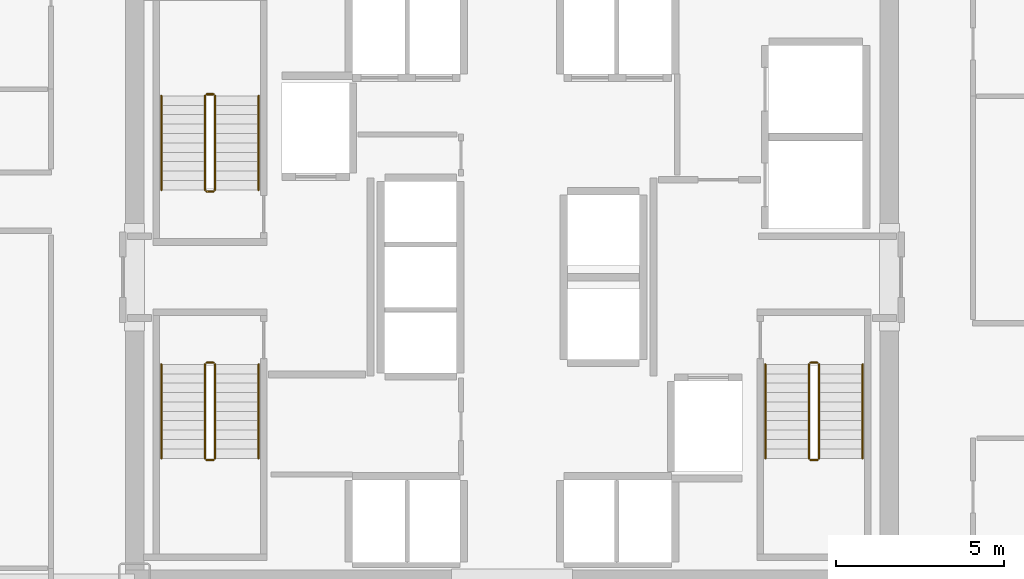
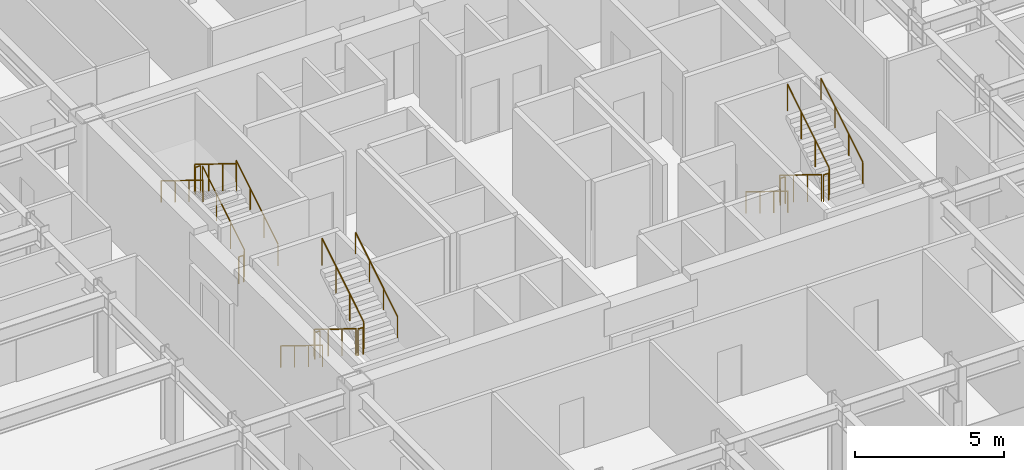
# One storey, part 26 of 26: 18 railings.
"""IFC4 building model written with IfcOpenShell, lengths in metres."""

from ifc_helpers import new_model, si_unit, direction, frame, origin, origin_2d, place, context, subcontext, project, spatial, circle, extrude, material, type_object, element, save


model = new_model("IFC4")

# Units and contexts
model_context = context("Model", 3, precision=1e-05, world=origin(), true_north=direction((0.0, 1.0)))
body_context = subcontext(model_context, "Body", "Model", "MODEL_VIEW")
ifc_project = project(units=[si_unit("LENGTHUNIT", "METRE"), si_unit("AREAUNIT", "SQUARE_METRE"), si_unit("VOLUMEUNIT", "CUBIC_METRE"), si_unit("PLANEANGLEUNIT", "RADIAN"), si_unit("MASSUNIT", "GRAM", prefix="KILO")], contexts=[model_context])

# Site, building, storey
site_placement = place(None, origin())
site = spatial("IfcSite", under=ifc_project, at=site_placement, CompositionType="ELEMENT")
building_placement = place(site_placement, origin())
building = spatial("IfcBuilding", under=site, at=building_placement, Name="Nefas-Gora Pilgrimage Tower", CompositionType="ELEMENT")
storey_placement = place(building_placement, frame((0.0, 0.0, 132.60009765625)))
storey = spatial("IfcBuildingStorey", under=building, at=storey_placement, Name="L32", CompositionType="ELEMENT", Elevation=132.60009765625)

# Railings
ifc_material_1 = material(Name="Painted galvanised steel", Category="steel")
railing_type_1 = type_object("IfcRailingType", Name="RLG-STR-GUARD-1100", PredefinedType="GUARDRAIL", material=ifc_material_1)
railing_1_placement = place(storey_placement, frame((-8.85009765625, 2.60009765625, 0.172607421875)))
element("IfcRailing", 1, at=railing_1_placement, inside=storey, type_object=railing_type_1, Name="L32 ST-01 stair guard 1", PredefinedType="GUARDRAIL", context=body_context, shape_type="SweptSolid", body=[
    extrude(circle(Radius=0.02392578125, at=origin_2d()), frame((0.0, 0.0, 1.09619140625), z_axis=(0.0, 0.851069175582, 0.525053576669), x_axis=(-1.0, 0.0, 0.0)), (0.0, 0.0, 1.0), 3.289794921875),
    extrude(circle(Radius=0.02099609375, at=origin_2d()), origin(), (0.0, 0.0, 1.0), 1.072021484375),
    extrude(circle(Radius=0.02099609375, at=origin_2d()), frame((0.0, 0.933349609375, 0.57568359375)), (0.0, 0.0, 1.0), 1.072021484375),
    extrude(circle(Radius=0.02099609375, at=origin_2d()), frame((0.0, 1.866455078125, 1.151611328125)), (0.0, 0.0, 1.0), 1.072021484375),
    extrude(circle(Radius=0.02099609375, at=origin_2d()), frame((0.0, 2.7998046875, 1.727294921875)), (0.0, 0.0, 1.0), 1.072021484375),
])
railing_2_placement = place(storey_placement, frame((-8.89990234375, 5.449951171875, 1.89990234375)))
element("IfcRailing", 2, at=railing_2_placement, inside=storey, type_object=railing_type_1, Name="L32 ST-01 stair guard 2", PredefinedType="GUARDRAIL", context=body_context, shape_type="SweptSolid", body=[
    extrude(circle(Radius=0.02392578125, at=origin_2d()), frame((0.0, 0.0, 1.09619140625), z_axis=(-1.0, 0.0, 0.0), x_axis=(0.0, -1.0, 0.0)), (0.0, 0.0, 1.0), 0.2001953125),
    extrude(circle(Radius=0.02099609375, at=origin_2d()), origin(), (0.0, 0.0, 1.0), 1.072021484375),
    extrude(circle(Radius=0.02099609375, at=origin_2d()), frame((-0.2001953125, 0.0, 0.0)), (0.0, 0.0, 1.0), 1.072021484375),
])
railing_3_placement = place(storey_placement, frame((-9.14990234375, 5.39990234375, 2.072509765625)))
element("IfcRailing", 3, at=railing_3_placement, inside=storey, type_object=railing_type_1, Name="L32 ST-01 stair guard 3", PredefinedType="GUARDRAIL", context=body_context, shape_type="SweptSolid", body=[
    extrude(circle(Radius=0.02392578125, at=origin_2d()), frame((0.0, 0.0, 1.09619140625), z_axis=(0.0, -0.851069175582, 0.525053576669), x_axis=(1.0, 0.0, 0.0)), (0.0, 0.0, 1.0), 3.289794921875),
    extrude(circle(Radius=0.02099609375, at=origin_2d()), origin(), (0.0, 0.0, 1.0), 1.072021484375),
    extrude(circle(Radius=0.02099609375, at=origin_2d()), frame((0.0, -0.933349609375, 0.57568359375)), (0.0, 0.0, 1.0), 1.072021484375),
    extrude(circle(Radius=0.02099609375, at=origin_2d()), frame((0.0, -1.866455078125, 1.151611328125)), (0.0, 0.0, 1.0), 1.072021484375),
    extrude(circle(Radius=0.02099609375, at=origin_2d()), frame((0.0, -2.7998046875, 1.727294921875)), (0.0, 0.0, 1.0), 1.072021484375),
])
railing_4_placement = place(storey_placement, frame((-8.89990234375, 2.550048828125, 0.0)))
element("IfcRailing", 4, at=railing_4_placement, inside=storey, type_object=railing_type_1, Name="L32 ST-01 stair guard 4", PredefinedType="GUARDRAIL", context=body_context, shape_type="SweptSolid", body=[
    extrude(circle(Radius=0.02392578125, at=origin_2d()), frame((0.0, 0.0, 1.09619140625), z_axis=(-1.0, 0.0, 0.0), x_axis=(0.0, -1.0, 0.0)), (0.0, 0.0, 1.0), 0.2001953125),
    extrude(circle(Radius=0.02099609375, at=origin_2d()), origin(), (0.0, 0.0, 1.0), 1.072021484375),
    extrude(circle(Radius=0.02099609375, at=origin_2d()), frame((-0.2001953125, 0.0, 0.0)), (0.0, 0.0, 1.0), 1.072021484375),
])
railing_5_placement = place(storey_placement, frame((8.85009765625, -2.60009765625, 0.172607421875)))
element("IfcRailing", 5, at=railing_5_placement, inside=storey, type_object=railing_type_1, Name="L32 ST-02 stair guard 1", PredefinedType="GUARDRAIL", context=body_context, shape_type="SweptSolid", body=[
    extrude(circle(Radius=0.02392578125, at=origin_2d()), frame((0.0, 0.0, 1.09619140625), z_axis=(0.0, -0.851069175582, 0.525053576669), x_axis=(1.0, 0.0, 0.0)), (0.0, 0.0, 1.0), 3.289794921875),
    extrude(circle(Radius=0.02099609375, at=origin_2d()), origin(), (0.0, 0.0, 1.0), 1.072021484375),
    extrude(circle(Radius=0.02099609375, at=origin_2d()), frame((0.0, -0.933349609375, 0.57568359375)), (0.0, 0.0, 1.0), 1.072021484375),
    extrude(circle(Radius=0.02099609375, at=origin_2d()), frame((0.0, -1.866455078125, 1.151611328125)), (0.0, 0.0, 1.0), 1.072021484375),
    extrude(circle(Radius=0.02099609375, at=origin_2d()), frame((0.0, -2.7998046875, 1.727294921875)), (0.0, 0.0, 1.0), 1.072021484375),
])
railing_6_placement = place(storey_placement, frame((8.89990234375, -5.449951171875, 1.89990234375)))
element("IfcRailing", 6, at=railing_6_placement, inside=storey, type_object=railing_type_1, Name="L32 ST-02 stair guard 2", PredefinedType="GUARDRAIL", context=body_context, shape_type="SweptSolid", body=[
    extrude(circle(Radius=0.02392578125, at=origin_2d()), frame((0.0, 0.0, 1.09619140625), z_axis=(1.0, 0.0, 0.0), x_axis=(0.0, 1.0, 0.0)), (0.0, 0.0, 1.0), 0.2001953125),
    extrude(circle(Radius=0.02099609375, at=origin_2d()), origin(), (0.0, 0.0, 1.0), 1.072021484375),
    extrude(circle(Radius=0.02099609375, at=origin_2d()), frame((0.2001953125, 0.0, 0.0)), (0.0, 0.0, 1.0), 1.072021484375),
])
railing_7_placement = place(storey_placement, frame((9.14990234375, -5.39990234375, 2.072509765625)))
element("IfcRailing", 7, at=railing_7_placement, inside=storey, type_object=railing_type_1, Name="L32 ST-02 stair guard 3", PredefinedType="GUARDRAIL", context=body_context, shape_type="SweptSolid", body=[
    extrude(circle(Radius=0.02392578125, at=origin_2d()), frame((0.0, 0.0, 1.09619140625), z_axis=(0.0, 0.851069175582, 0.525053576669), x_axis=(-1.0, 0.0, 0.0)), (0.0, 0.0, 1.0), 3.289794921875),
    extrude(circle(Radius=0.02099609375, at=origin_2d()), origin(), (0.0, 0.0, 1.0), 1.072021484375),
    extrude(circle(Radius=0.02099609375, at=origin_2d()), frame((0.0, 0.933349609375, 0.57568359375)), (0.0, 0.0, 1.0), 1.072021484375),
    extrude(circle(Radius=0.02099609375, at=origin_2d()), frame((0.0, 1.866455078125, 1.151611328125)), (0.0, 0.0, 1.0), 1.072021484375),
    extrude(circle(Radius=0.02099609375, at=origin_2d()), frame((0.0, 2.7998046875, 1.727294921875)), (0.0, 0.0, 1.0), 1.072021484375),
])
railing_8_placement = place(storey_placement, frame((8.89990234375, -2.550048828125, 0.0)))
element("IfcRailing", 8, at=railing_8_placement, inside=storey, type_object=railing_type_1, Name="L32 ST-02 stair guard 4", PredefinedType="GUARDRAIL", context=body_context, shape_type="SweptSolid", body=[
    extrude(circle(Radius=0.02392578125, at=origin_2d()), frame((0.0, 0.0, 1.09619140625), z_axis=(1.0, 0.0, 0.0), x_axis=(0.0, 1.0, 0.0)), (0.0, 0.0, 1.0), 0.2001953125),
    extrude(circle(Radius=0.02099609375, at=origin_2d()), origin(), (0.0, 0.0, 1.0), 1.072021484375),
    extrude(circle(Radius=0.02099609375, at=origin_2d()), frame((0.2001953125, 0.0, 0.0)), (0.0, 0.0, 1.0), 1.072021484375),
])
railing_9_placement = place(storey_placement, frame((-9.14990234375, -2.60009765625, 0.172607421875)))
element("IfcRailing", 9, at=railing_9_placement, inside=storey, type_object=railing_type_1, Name="L32 ST-03 stair guard 1", PredefinedType="GUARDRAIL", context=body_context, shape_type="SweptSolid", body=[
    extrude(circle(Radius=0.02392578125, at=origin_2d()), frame((0.0, 0.0, 1.09619140625), z_axis=(0.0, -0.851069175582, 0.525053576669), x_axis=(1.0, 0.0, 0.0)), (0.0, 0.0, 1.0), 3.289794921875),
    extrude(circle(Radius=0.02099609375, at=origin_2d()), origin(), (0.0, 0.0, 1.0), 1.072021484375),
    extrude(circle(Radius=0.02099609375, at=origin_2d()), frame((0.0, -0.933349609375, 0.57568359375)), (0.0, 0.0, 1.0), 1.072021484375),
    extrude(circle(Radius=0.02099609375, at=origin_2d()), frame((0.0, -1.866455078125, 1.151611328125)), (0.0, 0.0, 1.0), 1.072021484375),
    extrude(circle(Radius=0.02099609375, at=origin_2d()), frame((0.0, -2.7998046875, 1.727294921875)), (0.0, 0.0, 1.0), 1.072021484375),
])
railing_10_placement = place(storey_placement, frame((-9.10009765625, -5.449951171875, 1.89990234375)))
element("IfcRailing", 10, at=railing_10_placement, inside=storey, type_object=railing_type_1, Name="L32 ST-03 stair guard 2", PredefinedType="GUARDRAIL", context=body_context, shape_type="SweptSolid", body=[
    extrude(circle(Radius=0.02392578125, at=origin_2d()), frame((0.0, 0.0, 1.09619140625), z_axis=(1.0, 0.0, 0.0), x_axis=(0.0, 1.0, 0.0)), (0.0, 0.0, 1.0), 0.2001953125),
    extrude(circle(Radius=0.02099609375, at=origin_2d()), origin(), (0.0, 0.0, 1.0), 1.072021484375),
    extrude(circle(Radius=0.02099609375, at=origin_2d()), frame((0.2001953125, 0.0, 0.0)), (0.0, 0.0, 1.0), 1.072021484375),
])
railing_11_placement = place(storey_placement, frame((-8.85009765625, -5.39990234375, 2.072509765625)))
element("IfcRailing", 11, at=railing_11_placement, inside=storey, type_object=railing_type_1, Name="L32 ST-03 stair guard 3", PredefinedType="GUARDRAIL", context=body_context, shape_type="SweptSolid", body=[
    extrude(circle(Radius=0.02392578125, at=origin_2d()), frame((0.0, 0.0, 1.09619140625), z_axis=(0.0, 0.851069175582, 0.525053576669), x_axis=(-1.0, 0.0, 0.0)), (0.0, 0.0, 1.0), 3.289794921875),
    extrude(circle(Radius=0.02099609375, at=origin_2d()), origin(), (0.0, 0.0, 1.0), 1.072021484375),
    extrude(circle(Radius=0.02099609375, at=origin_2d()), frame((0.0, 0.933349609375, 0.57568359375)), (0.0, 0.0, 1.0), 1.072021484375),
    extrude(circle(Radius=0.02099609375, at=origin_2d()), frame((0.0, 1.866455078125, 1.151611328125)), (0.0, 0.0, 1.0), 1.072021484375),
    extrude(circle(Radius=0.02099609375, at=origin_2d()), frame((0.0, 2.7998046875, 1.727294921875)), (0.0, 0.0, 1.0), 1.072021484375),
])
railing_12_placement = place(storey_placement, frame((-9.10009765625, -2.550048828125, 0.0)))
element("IfcRailing", 12, at=railing_12_placement, inside=storey, type_object=railing_type_1, Name="L32 ST-03 stair guard 4", PredefinedType="GUARDRAIL", context=body_context, shape_type="SweptSolid", body=[
    extrude(circle(Radius=0.02392578125, at=origin_2d()), frame((0.0, 0.0, 1.09619140625), z_axis=(1.0, 0.0, 0.0), x_axis=(0.0, 1.0, 0.0)), (0.0, 0.0, 1.0), 0.2001953125),
    extrude(circle(Radius=0.02099609375, at=origin_2d()), origin(), (0.0, 0.0, 1.0), 1.072021484375),
    extrude(circle(Radius=0.02099609375, at=origin_2d()), frame((0.2001953125, 0.0, 0.0)), (0.0, 0.0, 1.0), 1.072021484375),
])
ifc_material_2 = material(Name="Brushed stainless steel", Category="steel")
railing_type_2 = type_object("IfcRailingType", Name="RLG-STR-HAND-900", PredefinedType="HANDRAIL", material=ifc_material_2)
railing_13_placement = place(storey_placement, frame((-7.550048828125, 2.60009765625, 0.172607421875)))
element("IfcRailing", 13, at=railing_13_placement, inside=storey, type_object=railing_type_2, Name="L32 ST-01 stair handrail 1", PredefinedType="HANDRAIL", context=body_context, shape_type="SweptSolid", body=[
    extrude(circle(Radius=0.02392578125, at=origin_2d()), frame((0.0, 0.0, 0.8759765625), z_axis=(0.0, 0.851069175582, 0.525053576669), x_axis=(-1.0, 0.0, 0.0)), (0.0, 0.0, 1.0), 3.289794921875),
    extrude(circle(Radius=0.02099609375, at=origin_2d()), origin(), (0.0, 0.0, 1.0), 0.851806640625),
    extrude(circle(Radius=0.02099609375, at=origin_2d()), frame((0.0, 0.933349609375, 0.57568359375)), (0.0, 0.0, 1.0), 0.851806640625),
    extrude(circle(Radius=0.02099609375, at=origin_2d()), frame((0.0, 1.866455078125, 1.151611328125)), (0.0, 0.0, 1.0), 0.851806640625),
    extrude(circle(Radius=0.02099609375, at=origin_2d()), frame((0.0, 2.7998046875, 1.727294921875)), (0.0, 0.0, 1.0), 0.851806640625),
])
for number, where, name in (
    (14, (-10.449951171875, 5.39990234375, 2.072509765625), "L32 ST-01 stair handrail 2"),
    (15, (7.550048828125, -2.60009765625, 0.172607421875), "L32 ST-02 stair handrail 1"),
):
    element("IfcRailing", number, at=place(storey_placement, frame(where)), inside=storey, type_object=railing_type_2, Name=name, PredefinedType="HANDRAIL", context=body_context, shape_type="SweptSolid", body=[
        extrude(circle(Radius=0.02392578125, at=origin_2d()), frame((0.0, 0.0, 0.8759765625), z_axis=(0.0, -0.851069175582, 0.525053576669), x_axis=(1.0, 0.0, 0.0)), (0.0, 0.0, 1.0), 3.289794921875),
        extrude(circle(Radius=0.02099609375, at=origin_2d()), origin(), (0.0, 0.0, 1.0), 0.851806640625),
        extrude(circle(Radius=0.02099609375, at=origin_2d()), frame((0.0, -0.933349609375, 0.57568359375)), (0.0, 0.0, 1.0), 0.851806640625),
        extrude(circle(Radius=0.02099609375, at=origin_2d()), frame((0.0, -1.866455078125, 1.151611328125)), (0.0, 0.0, 1.0), 0.851806640625),
        extrude(circle(Radius=0.02099609375, at=origin_2d()), frame((0.0, -2.7998046875, 1.727294921875)), (0.0, 0.0, 1.0), 0.851806640625),
    ])
railing_14_placement = place(storey_placement, frame((10.449951171875, -5.39990234375, 2.072509765625)))
element("IfcRailing", 16, at=railing_14_placement, inside=storey, type_object=railing_type_2, Name="L32 ST-02 stair handrail 2", PredefinedType="HANDRAIL", context=body_context, shape_type="SweptSolid", body=[
    extrude(circle(Radius=0.02392578125, at=origin_2d()), frame((0.0, 0.0, 0.8759765625), z_axis=(0.0, 0.851069175582, 0.525053576669), x_axis=(-1.0, 0.0, 0.0)), (0.0, 0.0, 1.0), 3.289794921875),
    extrude(circle(Radius=0.02099609375, at=origin_2d()), origin(), (0.0, 0.0, 1.0), 0.851806640625),
    extrude(circle(Radius=0.02099609375, at=origin_2d()), frame((0.0, 0.933349609375, 0.57568359375)), (0.0, 0.0, 1.0), 0.851806640625),
    extrude(circle(Radius=0.02099609375, at=origin_2d()), frame((0.0, 1.866455078125, 1.151611328125)), (0.0, 0.0, 1.0), 0.851806640625),
    extrude(circle(Radius=0.02099609375, at=origin_2d()), frame((0.0, 2.7998046875, 1.727294921875)), (0.0, 0.0, 1.0), 0.851806640625),
])
railing_15_placement = place(storey_placement, frame((-10.449951171875, -2.60009765625, 0.172607421875)))
element("IfcRailing", 17, at=railing_15_placement, inside=storey, type_object=railing_type_2, Name="L32 ST-03 stair handrail 1", PredefinedType="HANDRAIL", context=body_context, shape_type="SweptSolid", body=[
    extrude(circle(Radius=0.02392578125, at=origin_2d()), frame((0.0, 0.0, 0.8759765625), z_axis=(0.0, -0.851069175582, 0.525053576669), x_axis=(1.0, 0.0, 0.0)), (0.0, 0.0, 1.0), 3.289794921875),
    extrude(circle(Radius=0.02099609375, at=origin_2d()), origin(), (0.0, 0.0, 1.0), 0.851806640625),
    extrude(circle(Radius=0.02099609375, at=origin_2d()), frame((0.0, -0.933349609375, 0.57568359375)), (0.0, 0.0, 1.0), 0.851806640625),
    extrude(circle(Radius=0.02099609375, at=origin_2d()), frame((0.0, -1.866455078125, 1.151611328125)), (0.0, 0.0, 1.0), 0.851806640625),
    extrude(circle(Radius=0.02099609375, at=origin_2d()), frame((0.0, -2.7998046875, 1.727294921875)), (0.0, 0.0, 1.0), 0.851806640625),
])
railing_16_placement = place(storey_placement, frame((-7.550048828125, -5.39990234375, 2.072509765625)))
element("IfcRailing", 18, at=railing_16_placement, inside=storey, type_object=railing_type_2, Name="L32 ST-03 stair handrail 2", PredefinedType="HANDRAIL", context=body_context, shape_type="SweptSolid", body=[
    extrude(circle(Radius=0.02392578125, at=origin_2d()), frame((0.0, 0.0, 0.8759765625), z_axis=(0.0, 0.851069175582, 0.525053576669), x_axis=(-1.0, 0.0, 0.0)), (0.0, 0.0, 1.0), 3.289794921875),
    extrude(circle(Radius=0.02099609375, at=origin_2d()), origin(), (0.0, 0.0, 1.0), 0.851806640625),
    extrude(circle(Radius=0.02099609375, at=origin_2d()), frame((0.0, 0.933349609375, 0.57568359375)), (0.0, 0.0, 1.0), 0.851806640625),
    extrude(circle(Radius=0.02099609375, at=origin_2d()), frame((0.0, 1.866455078125, 1.151611328125)), (0.0, 0.0, 1.0), 0.851806640625),
    extrude(circle(Radius=0.02099609375, at=origin_2d()), frame((0.0, 2.7998046875, 1.727294921875)), (0.0, 0.0, 1.0), 0.851806640625),
])

save(model, "model.ifc")
